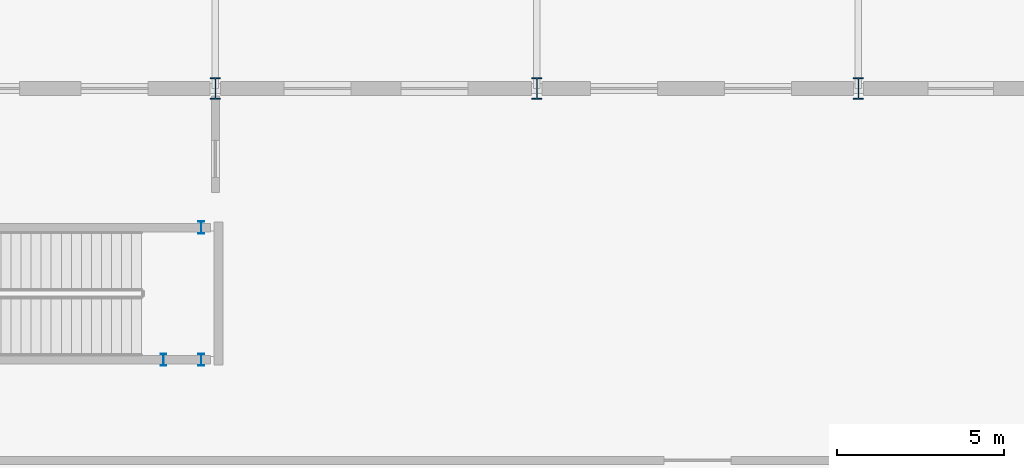
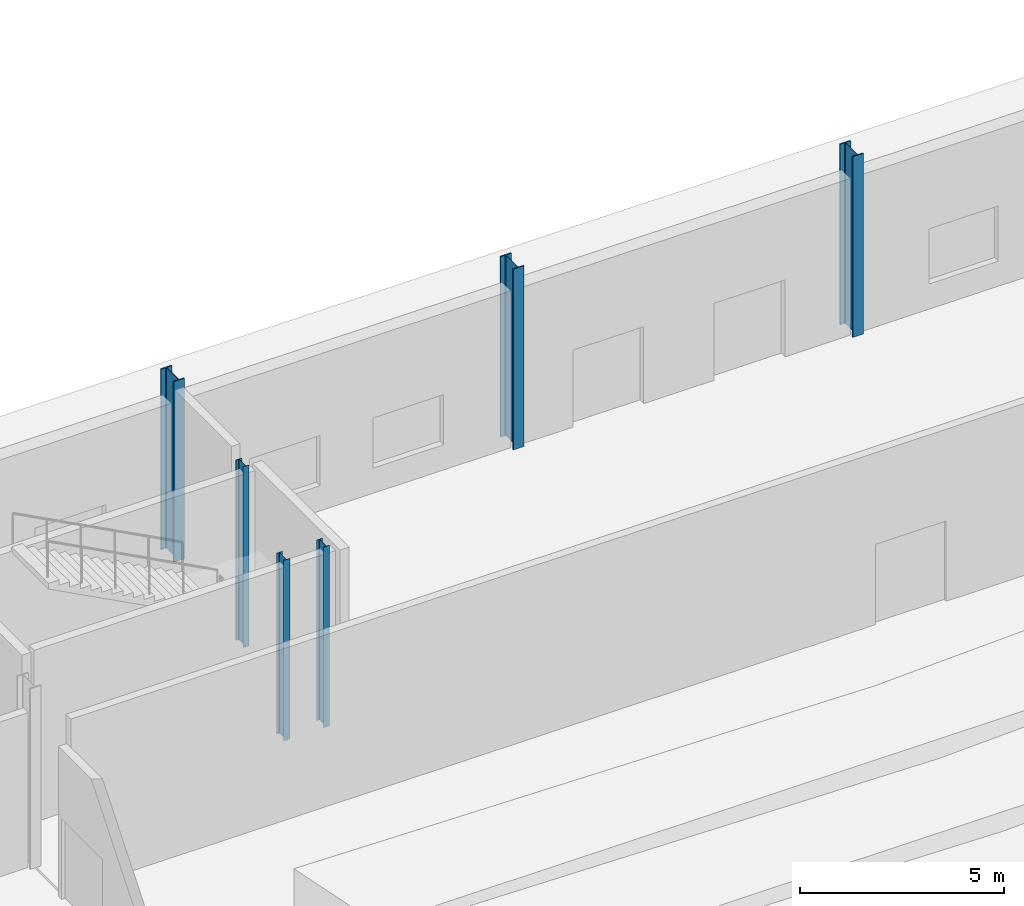
# One storey, part 26 of 84: 6 columns.
"""IFC4 building model written with IfcOpenShell, lengths in metres."""

from ifc_helpers import new_model, si_unit, direction, frame, origin, origin_2d, place, context, subcontext, project, spatial, i_section, extrude, material, material_profile, profile_set, type_object, element, save


model = new_model("IFC4")

# Units and contexts
model_context = context("Model", 3, precision=1e-05, world=origin(), true_north=direction((0.0, 1.0)))
body_context = subcontext(model_context, "Body", "Model", "MODEL_VIEW")
ifc_project = project(units=[si_unit("LENGTHUNIT", "METRE"), si_unit("AREAUNIT", "SQUARE_METRE"), si_unit("VOLUMEUNIT", "CUBIC_METRE"), si_unit("PLANEANGLEUNIT", "RADIAN"), si_unit("MASSUNIT", "GRAM", prefix="KILO")], contexts=[model_context])

# Site, building, storey
site_placement = place(None, origin())
site = spatial("IfcSite", under=ifc_project, at=site_placement, CompositionType="ELEMENT")
building_placement = place(site_placement, origin())
building = spatial("IfcBuilding", under=site, at=building_placement, Name="Zevrakil Square Congress Hotel", CompositionType="ELEMENT")
storey_placement = place(building_placement, origin())
storey = spatial("IfcBuildingStorey", under=building, at=storey_placement, Name="L01", CompositionType="ELEMENT", Elevation=0.0)

# Columns
ifc_material_1 = material(Name="Steel S355", Category="steel")
ifc_material_profile_1 = material_profile(ifc_material_1, i_section(OverallWidth=0.300048828125, OverallDepth=0.64990234375, WebThickness=0.01611328125, FlangeThickness=0.031005859375, FilletRadius=0.027099609375, at=origin_2d()), Name="HEB 650")
ifc_profile_set_1 = profile_set([ifc_material_profile_1], Name="Steel S355")
column_type_1 = type_object("IfcColumnType", Name="COL-HEB650", PredefinedType="COLUMN", material=ifc_profile_set_1)
for number, where, z_axis, x_axis, name in (
    (1, (127.199951171875, 112.800048828125, 0.0), (0.0, 0.0, 1.0), (1.0, 0.0, 0.0), "L01 column C-202"),
    (2, (136.800048828125, 112.800048828125, 0.0), (0.0, 0.0, 1.0), (1.0, 0.0, 0.0), "L01 column C-211"),
    (3, (146.39990234375, 112.800048828125, 0.0), (0.0, 0.0, 1.0), (1.0, 0.0, 0.0), "L01 column C-218"),
):
    element("IfcColumn", number, at=place(storey_placement, frame(where, z_axis=z_axis, x_axis=x_axis)), inside=storey, type_object=column_type_1, Name=name, PredefinedType="COLUMN", context=body_context, shape_type="SweptSolid", body=[
        extrude(i_section(OverallWidth=0.300048828125, OverallDepth=0.64990234375, WebThickness=0.01611328125, FlangeThickness=0.031005859375, FilletRadius=0.027099609375, at=origin_2d()), origin(), (0.0, 0.0, 1.0), 5.39990234375),
    ])
ifc_material_2 = material(Name="Steel S355", Category="steel")
ifc_material_profile_2 = material_profile(ifc_material_2, i_section(OverallWidth=0.169921875, OverallDepth=0.360107421875, WebThickness=0.008056640625, FlangeThickness=0.0126953125, FilletRadius=0.01806640625, at=origin_2d()), Name="IPE 360")
ifc_profile_set_2 = profile_set([ifc_material_profile_2], Name="Steel S355")
column_type_2 = type_object("IfcColumnType", Name="COL-PILASTER-SHS180", PredefinedType="PILASTER", material=ifc_profile_set_2)
for number, where, z_axis, x_axis, name in (
    (4, (125.64990234375, 104.699951171875, 0.0), (0.0, 0.0, 1.0), (1.0, 0.0, 0.0), "L01 ST11 stair shaft post 1"),
    (5, (126.780029296875, 104.699951171875, 0.0), (0.0, 0.0, 1.0), (1.0, 0.0, 0.0), "L01 ST11 stair shaft post 2"),
    (6, (126.780029296875, 108.64990234375, 0.0), (0.0, 0.0, 1.0), (1.0, 0.0, 0.0), "L01 ST11 stair shaft post 3"),
):
    element("IfcColumn", number, at=place(storey_placement, frame(where, z_axis=z_axis, x_axis=x_axis)), inside=storey, type_object=column_type_2, Name=name, PredefinedType="PILASTER", context=body_context, shape_type="SweptSolid", body=[
        extrude(i_section(OverallWidth=0.169921875, OverallDepth=0.360107421875, WebThickness=0.008056640625, FlangeThickness=0.0126953125, FilletRadius=0.01806640625, at=origin_2d()), origin(), (0.0, 0.0, 1.0), 5.39990234375),
    ])

save(model, "model.ifc")
